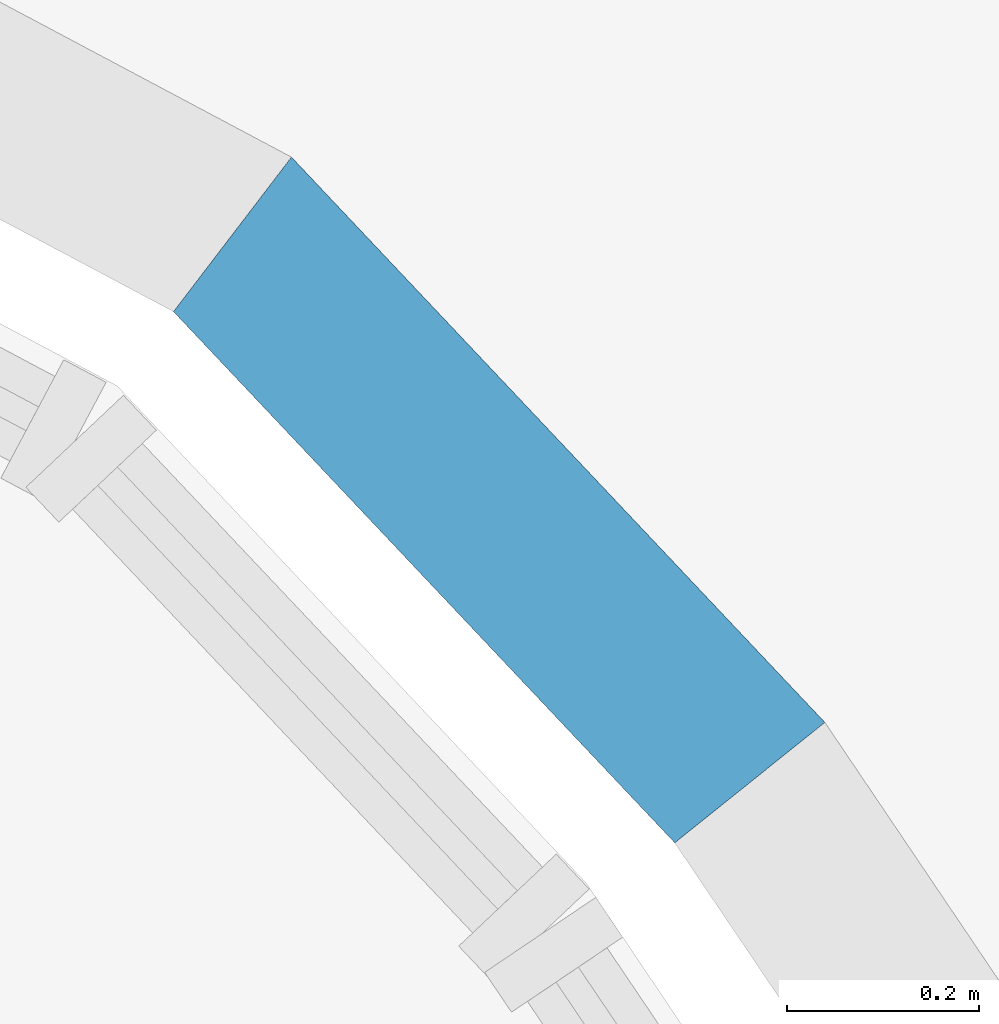
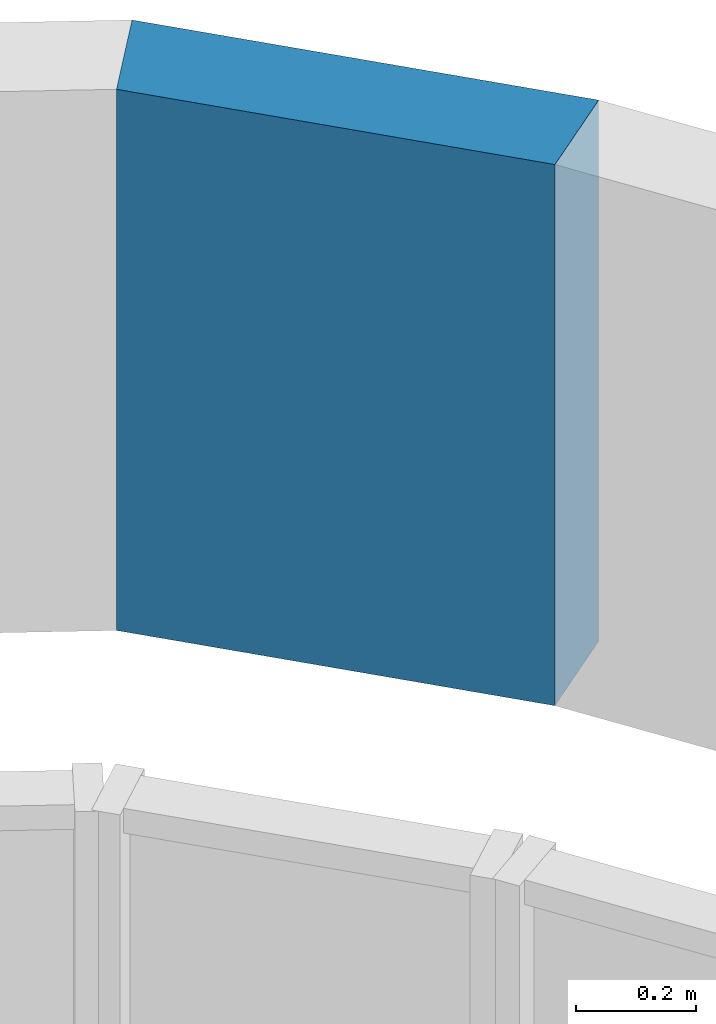
# One storey, part 5 of 6: 1 wall.
"""IFC4 building model written with IfcOpenShell, lengths in metres."""

from ifc_helpers import new_model, si_unit, direction, frame, origin, place, context, subcontext, project, spatial, polyline, outline, extrude, material, layer, layer_set, type_object, element, save


model = new_model("IFC4")

# Units and contexts
model_context = context("Model", 3, precision=1e-05, world=origin(), true_north=direction((0.0, 1.0)))
body_context = subcontext(model_context, "Body", "Model", "MODEL_VIEW")
ifc_project = project(units=[si_unit("LENGTHUNIT", "METRE"), si_unit("AREAUNIT", "SQUARE_METRE"), si_unit("VOLUMEUNIT", "CUBIC_METRE"), si_unit("PLANEANGLEUNIT", "RADIAN"), si_unit("MASSUNIT", "GRAM", prefix="KILO")], contexts=[model_context])

# Site, building, storey
site_placement = place(None, origin())
site = spatial("IfcSite", under=ifc_project, at=site_placement, CompositionType="ELEMENT")
building_placement = place(site_placement, origin())
building = spatial("IfcBuilding", under=site, at=building_placement, Name="Tarnside Tower", CompositionType="ELEMENT")
storey_placement = place(building_placement, frame((0.0, 0.0, 406.199951171875)))
storey = spatial("IfcBuildingStorey", under=building, at=storey_placement, Name="L96", CompositionType="ELEMENT", Elevation=406.199951171875)

# Wall
ifc_material = material(Name="Concrete C35/45 precast", Category="concrete")
ifc_layer = layer(ifc_material, 0.199951171875)
ifc_layer_set = layer_set([ifc_layer], Name="Parapet 200 x 1100")
wall_type = type_object("IfcWallType", Name="Parapet 200 x 1100", PredefinedType="PARAPET", material=ifc_layer_set)
wall_placement = place(storey_placement, frame((5.4423828125, 9.4072265625, 4.5), z_axis=(0.0, 0.0, 1.0), x_axis=(0.686322682682, -0.7272971712, 0.0)))
element("IfcWall", 1, at=wall_placement, inside=storey, type_object=wall_type, Name="Roof parapet 03", PredefinedType="PARAPET", context=body_context, shape_type="SweptSolid", body=[
    extrude(outline(polyline([(0.016357421875, -0.10009765625), (0.778564453125, -0.10009765625), (0.794677734375, 0.10009765625), (-0.016357421875, 0.10009765625), (0.016357421875, -0.10009765625)])), origin(), (0.0, 0.0, 1.0), 1.10009765625),
])

save(model, "model.ifc")
